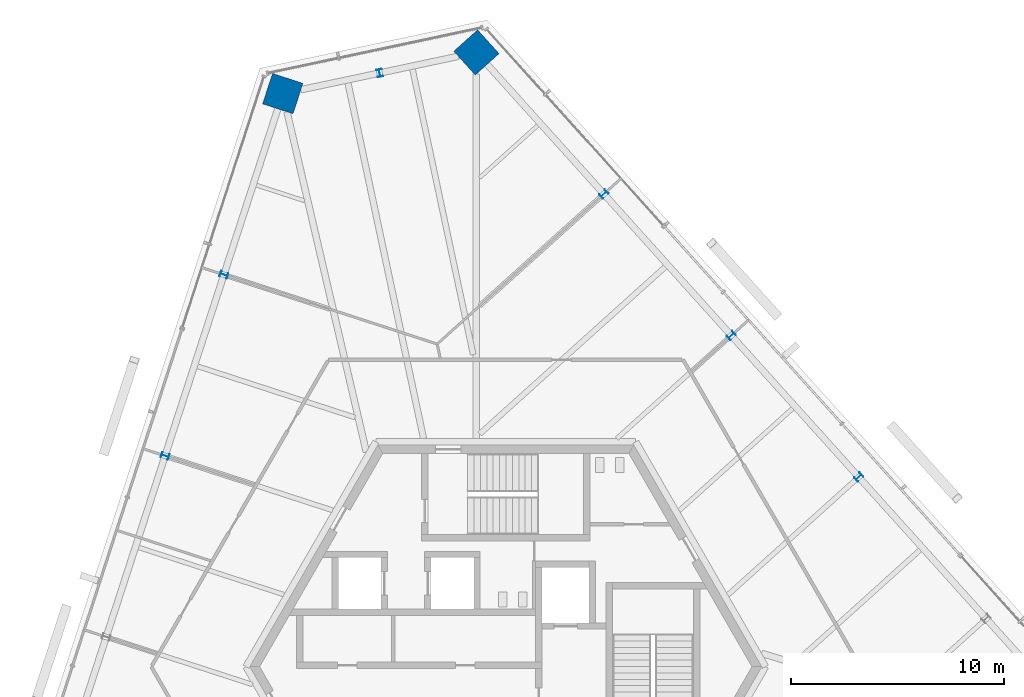
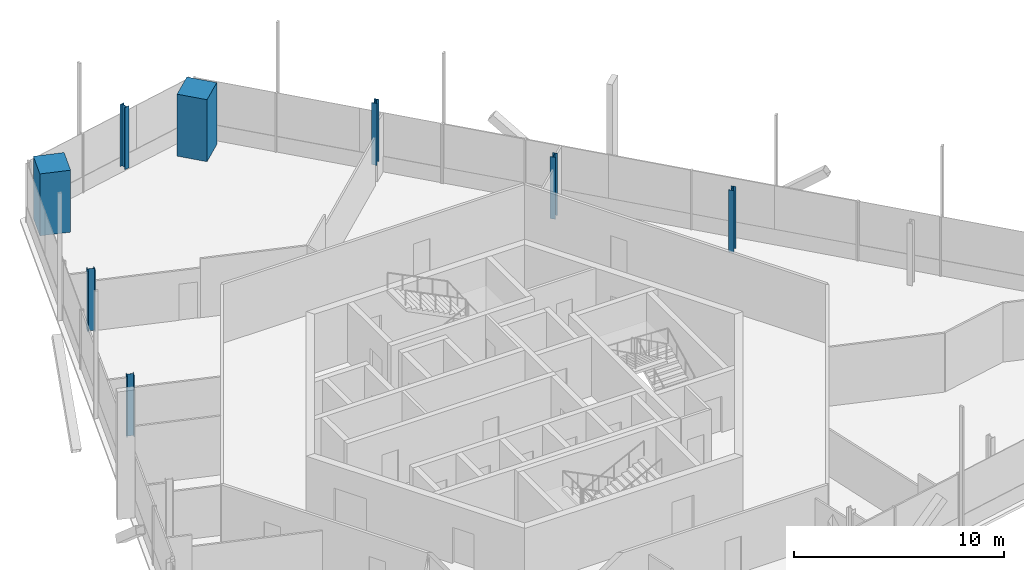
# One storey, part 3 of 17: 8 columns.
"""IFC4 building model written with IfcOpenShell, lengths in metres."""

from ifc_helpers import new_model, si_unit, direction, frame, origin, origin_2d, place, context, subcontext, project, spatial, rectangle, i_section, extrude, source, transform, mapped, material, material_profile, profile_set, type_object, element, save


model = new_model("IFC4")

# Units and contexts
model_context = context("Model", 3, precision=1e-05, world=origin(), true_north=direction((0.0, 1.0)))
body_context = subcontext(model_context, "Body", "Model", "MODEL_VIEW")
ifc_project = project(units=[si_unit("LENGTHUNIT", "METRE"), si_unit("AREAUNIT", "SQUARE_METRE"), si_unit("VOLUMEUNIT", "CUBIC_METRE"), si_unit("PLANEANGLEUNIT", "RADIAN"), si_unit("MASSUNIT", "GRAM", prefix="KILO")], contexts=[model_context])

# Site, building, storey
site_placement = place(None, origin())
site = spatial("IfcSite", under=ifc_project, at=site_placement, CompositionType="ELEMENT")
building_placement = place(site_placement, origin())
building = spatial("IfcBuilding", under=site, at=building_placement, Name="Triune Harvest Tower", CompositionType="ELEMENT")
storey_placement = place(building_placement, frame((0.0, 0.0, 281.10009765625)))
storey = spatial("IfcBuildingStorey", under=building, at=storey_placement, Name="L74", CompositionType="ELEMENT", Elevation=281.10009765625)

# Columns
ifc_material_1 = material(Name="Concrete 70 MPa", Category="concrete")
ifc_material_profile_1 = material_profile(ifc_material_1, rectangle(XDim=1.5, YDim=1.5, at=origin_2d()), Name="Composite 1500x1500")
ifc_profile_set_1 = profile_set([ifc_material_profile_1], Name="Concrete 70 MPa")
column_type_1 = type_object("IfcColumnType", Name="MC-7 Mega column Composite 1500x1500", PredefinedType="COLUMN", material=ifc_profile_set_1)
shared_shape_1 = source(origin(), body_context, "Body", "SweptSolid", [
    extrude(rectangle(XDim=1.5, YDim=1.5, at=origin_2d()), origin(), (0.0, 0.0, 1.0), 3.599853515625),
])
for number, where, z_axis, x_axis, name in (
    (1, (-1.376708984375, 28.794921875, 0.0), (0.0, 0.0, 1.0), (-0.669130606359, 0.743144825477, 0.0), "col/L74/M5"),
    (2, (-10.4541015625, 26.865478515625, 0.0), (0.0, 0.0, 1.0), (-0.309015334468, -0.95105705563, 0.0), "col/L74/M7"),
):
    element("IfcColumn", number, at=place(storey_placement, frame(where, z_axis=z_axis, x_axis=x_axis)), inside=storey, type_object=column_type_1, Name=name, PredefinedType="COLUMN", context=body_context, shape_type="MappedRepresentation", body=[
        mapped(shared_shape_1, transform((0.0, 0.0, 0.0), scale=1.0)),
    ])
ifc_material_2 = material(Name="Steel ASTM A992 Gr 50", Category="steel")
ifc_material_profile_2 = material_profile(ifc_material_2, i_section(OverallWidth=0.256591796875, OverallDepth=0.360595703125, WebThickness=0.011474609375, FlangeThickness=0.02001953125, at=origin_2d()), Name="W14x74")
ifc_profile_set_2 = profile_set([ifc_material_profile_2], Name="Steel ASTM A992 Gr 50")
column_type_2 = type_object("IfcColumnType", Name="PC-7 Perimeter column W14x74", PredefinedType="COLUMN", material=ifc_profile_set_2)
shared_shape_2 = source(origin(), body_context, "Body", "SweptSolid", [
    extrude(i_section(OverallWidth=0.256591796875, OverallDepth=0.360595703125, WebThickness=0.011474609375, FlangeThickness=0.02001953125, at=origin_2d()), origin(), (0.0, 0.0, 1.0), 3.599853515625),
])
for number, where, z_axis, x_axis, name in (
    (3, (16.545166015625, 8.890380859375, 0.0), (0.0, 0.0, 1.0), (-0.669130606359, 0.743144825477, 0.0), "col/L74/P2"),
    (4, (10.5712890625, 15.525146484375, 0.0), (0.0, 0.0, 1.0), (-0.669130606359, 0.743144825477, 0.0), "col/L74/P3"),
    (5, (4.59716796875, 22.159912109375, 1.199951171875), (0.0, 0.0, 1.0), (-0.669130606359, 0.743144825477, 0.0), "col/L74/P4"),
    (6, (-5.91552734375, 27.830078125, 1.199951171875), (0.0, 0.0, 1.0), (-0.978147600734, -0.207911690818, 0.0), "col/L74/P6"),
    (7, (-13.212890625, 18.37451171875, 0.0), (0.0, 0.0, 1.0), (-0.309015334468, -0.95105705563, 0.0), "col/L74/P8"),
    (8, (-15.971923828125, 9.88330078125, 0.0), (0.0, 0.0, 1.0), (-0.309015334468, -0.95105705563, 0.0), "col/L74/P9"),
):
    element("IfcColumn", number, at=place(storey_placement, frame(where, z_axis=z_axis, x_axis=x_axis)), inside=storey, type_object=column_type_2, Name=name, PredefinedType="COLUMN", context=body_context, shape_type="MappedRepresentation", body=[
        mapped(shared_shape_2, transform((0.0, 0.0, 0.0), scale=1.0)),
    ])

save(model, "model.ifc")
